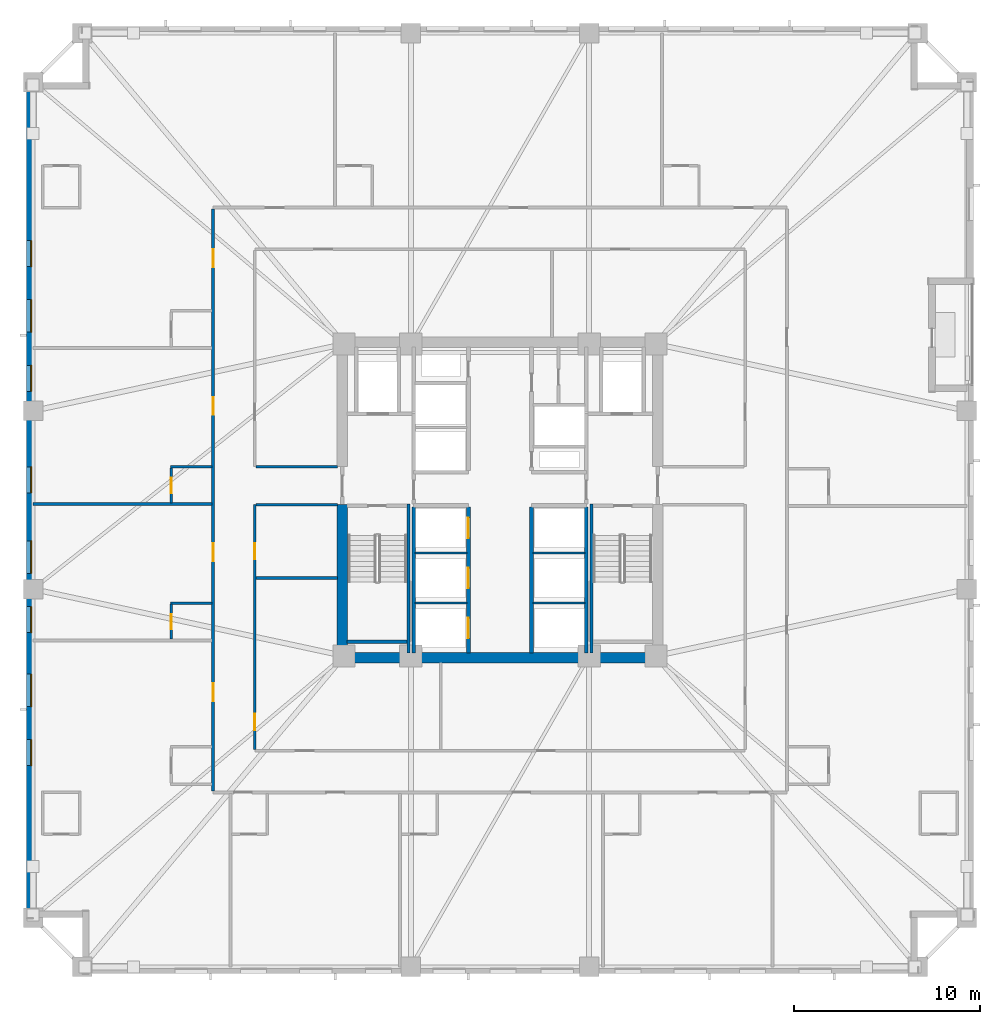
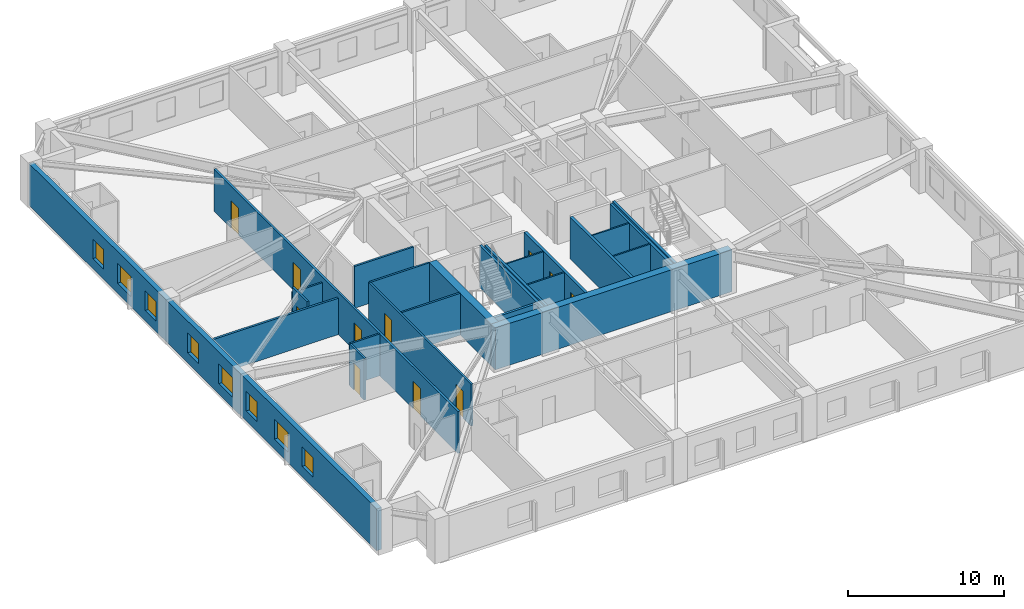
# One storey, part 3 of 11: 24 walls, 11 doors, 8 windows, 19 openings.
"""IFC4 building model written with IfcOpenShell, lengths in metres."""

from ifc_helpers import new_model, si_unit, direction, frame, frame_2d, origin, place, context, subcontext, project, spatial, rectangle, extrude, material, layer, layer_set, type_object, element, fill, save


model = new_model("IFC4")

# Units and contexts
model_context = context("Model", 3, precision=1e-05, world=origin(), true_north=direction((0.0, 1.0)))
body_context = subcontext(model_context, "Body", "Model", "MODEL_VIEW")
ifc_project = project(units=[si_unit("LENGTHUNIT", "METRE"), si_unit("AREAUNIT", "SQUARE_METRE"), si_unit("VOLUMEUNIT", "CUBIC_METRE"), si_unit("PLANEANGLEUNIT", "RADIAN"), si_unit("MASSUNIT", "GRAM", prefix="KILO")], contexts=[model_context])

# Site, building, storey
site_placement = place(None, origin())
site = spatial("IfcSite", under=ifc_project, at=site_placement, CompositionType="ELEMENT")
building_placement = place(site_placement, origin())
building = spatial("IfcBuilding", under=site, at=building_placement, Name="Cairnveth Concourse Tower", CompositionType="ELEMENT")
storey_placement = place(building_placement, frame((0.0, 0.0, 79.5)))
storey = spatial("IfcBuildingStorey", under=building, at=storey_placement, Name="L21", CompositionType="ELEMENT", Elevation=79.5)

# Wall, openings, doors
ifc_material_1 = material(Name="Gypsum Plasterboard Partition", Category="gypsum")
ifc_layer_1 = layer(ifc_material_1, 0.159912109375)
ifc_layer_set_1 = layer_set([ifc_layer_1], Name="Gypsum Plasterboard Partition")
wall_type_1 = type_object("IfcWallType", Name="ACOUSTIC PARTY WALL 180", PredefinedType="PARTITIONING", material=ifc_layer_set_1)
wall_1_placement = place(storey_placement, frame((36.550048828125, 23.31494140625, 0.0), z_axis=(0.0, 0.0, 1.0), x_axis=(0.0, 1.0, 0.0)))
wall_1 = element("IfcWall", 1, at=wall_1_placement, inside=storey, type_object=wall_type_1, Name="Interior Wall IW-L21-040", PredefinedType="PARTITIONING", context=body_context, shape_type="SweptSolid", body=[
    extrude(rectangle(XDim=31.3701171875, YDim=0.159912109375, at=frame_2d((15.68505859375, 0.0))), origin(), (0.0, 0.0, 1.0), 3.280029296875),
])
opening_1_placement = place(wall_1_placement, frame((4.848388671875, 0.0, 0.0)))
opening_1 = element("IfcOpeningElement", 2, at=opening_1_placement, cuts=wall_1, Name="Opening ID09", PredefinedType="OPENING", context=body_context, shape_type="SweptSolid", body=[
    extrude(rectangle(XDim=0.9599609375, YDim=2.14990234375, at=frame_2d((0.47998046875, 1.074951171875))), frame((0.0, 0.08984375, 0.0), z_axis=(0.0, -1.0, 0.0), x_axis=(1.0, 0.0, 0.0)), (0.0, 0.0, 1.0), 0.179931640625),
])
opening_2_placement = place(wall_1_placement, frame((12.390380859375, 0.0, 0.0)))
opening_2 = element("IfcOpeningElement", 3, at=opening_2_placement, cuts=wall_1, Name="Opening ID09", PredefinedType="OPENING", context=body_context, shape_type="SweptSolid", body=[
    extrude(rectangle(XDim=0.9599609375, YDim=2.14990234375, at=frame_2d((0.47998046875, 1.074951171875))), frame((0.0, 0.08984375, 0.0), z_axis=(0.0, -1.0, 0.0), x_axis=(1.0, 0.0, 0.0)), (0.0, 0.0, 1.0), 0.179931640625),
])
opening_3_placement = place(wall_1_placement, frame((20.265380859375, 0.0, 0.0)))
opening_3 = element("IfcOpeningElement", 4, at=opening_3_placement, cuts=wall_1, Name="Opening ID09", PredefinedType="OPENING", context=body_context, shape_type="SweptSolid", body=[
    extrude(rectangle(XDim=0.9599609375, YDim=2.14990234375, at=frame_2d((0.47998046875, 1.074951171875))), frame((0.0, 0.08984375, 0.0), z_axis=(0.0, -1.0, 0.0), x_axis=(1.0, 0.0, 0.0)), (0.0, 0.0, 1.0), 0.179931640625),
])
opening_4_placement = place(wall_1_placement, frame((28.223388671875, 0.0, 0.0)))
opening_4 = element("IfcOpeningElement", 5, at=opening_4_placement, cuts=wall_1, Name="Opening ID09", PredefinedType="OPENING", context=body_context, shape_type="SweptSolid", body=[
    extrude(rectangle(XDim=0.9599609375, YDim=2.14990234375, at=frame_2d((0.47998046875, 1.074951171875))), frame((0.0, 0.08984375, 0.0), z_axis=(0.0, -1.0, 0.0), x_axis=(1.0, 0.0, 0.0)), (0.0, 0.0, 1.0), 0.179931640625),
])
ifc_material_2 = material(Name="Solid Core Hardwood Timber Leaf", Category="wood")
door_type_1 = type_object("IfcDoorType", Name="HOTEL ENTRANCE DOOR 960X2150", OperationType="NOTDEFINED", PredefinedType="DOOR", material=ifc_material_2)
door_1_placement = place(opening_1_placement, origin())
door_1 = element("IfcDoor", 6, at=door_1_placement, inside=storey, type_object=door_type_1, Name="Hotel Room Door L21-W1", OperationType="SINGLE_SWING_RIGHT", OverallHeight=2.14990234375, OverallWidth=0.9599609375, PredefinedType="DOOR", context=body_context, shape_type="SweptSolid", body=[
    extrude(rectangle(XDim=0.9599609375, YDim=2.14990234375, at=frame_2d((0.47998046875, 1.074951171875))), frame((0.0, 0.02490234375, 0.0), z_axis=(0.0, -1.0, 0.0), x_axis=(1.0, 0.0, 0.0)), (0.0, 0.0, 1.0), 0.050048828125),
])
fill(opening_1, door_1)
door_2_placement = place(opening_2_placement, origin())
door_2 = element("IfcDoor", 7, at=door_2_placement, inside=storey, type_object=door_type_1, Name="Hotel Room Door L21-W2", OperationType="SINGLE_SWING_RIGHT", OverallHeight=2.14990234375, OverallWidth=0.9599609375, PredefinedType="DOOR", context=body_context, shape_type="SweptSolid", body=[
    extrude(rectangle(XDim=0.9599609375, YDim=2.14990234375, at=frame_2d((0.47998046875, 1.074951171875))), frame((0.0, 0.02490234375, 0.0), z_axis=(0.0, -1.0, 0.0), x_axis=(1.0, 0.0, 0.0)), (0.0, 0.0, 1.0), 0.050048828125),
])
fill(opening_2, door_2)
door_3_placement = place(opening_3_placement, origin())
door_3 = element("IfcDoor", 8, at=door_3_placement, inside=storey, type_object=door_type_1, Name="Hotel Room Door L21-W3", OperationType="SINGLE_SWING_RIGHT", OverallHeight=2.14990234375, OverallWidth=0.9599609375, PredefinedType="DOOR", context=body_context, shape_type="SweptSolid", body=[
    extrude(rectangle(XDim=0.9599609375, YDim=2.14990234375, at=frame_2d((0.47998046875, 1.074951171875))), frame((0.0, 0.02490234375, 0.0), z_axis=(0.0, -1.0, 0.0), x_axis=(1.0, 0.0, 0.0)), (0.0, 0.0, 1.0), 0.050048828125),
])
fill(opening_3, door_3)
door_4_placement = place(opening_4_placement, origin())
door_4 = element("IfcDoor", 9, at=door_4_placement, inside=storey, type_object=door_type_1, Name="Hotel Room Door L21-W4", OperationType="SINGLE_SWING_RIGHT", OverallHeight=2.14990234375, OverallWidth=0.9599609375, PredefinedType="DOOR", context=body_context, shape_type="SweptSolid", body=[
    extrude(rectangle(XDim=0.9599609375, YDim=2.14990234375, at=frame_2d((0.47998046875, 1.074951171875))), frame((0.0, 0.02490234375, 0.0), z_axis=(0.0, -1.0, 0.0), x_axis=(1.0, 0.0, 0.0)), (0.0, 0.0, 1.0), 0.050048828125),
])
fill(opening_4, door_4)

# Walls
wall_2_placement = place(storey_placement, frame((26.844970703125, 38.783935546875, 0.0), z_axis=(0.0, 0.0, 1.0), x_axis=(1.0, 0.0, 0.0)))
element("IfcWall", 10, at=wall_2_placement, inside=storey, type_object=wall_type_1, Name="Interior Wall IW-L21-089", PredefinedType="PARTITIONING", context=body_context, shape_type="SweptSolid", body=[
    extrude(rectangle(XDim=9.64013671875, YDim=0.159912109375, at=frame_2d((4.820068359375, 0.0))), origin(), (0.0, 0.0, 1.0), 2.84912109375),
])
ifc_material_3 = material(Name="Concrete N80 (80 MPa)", Category="concrete")
ifc_layer_2 = layer(ifc_material_3, 0.550048828125)
ifc_layer_set_2 = layer_set([ifc_layer_2], Name="Concrete N80 (80 MPa)")
wall_type_2 = type_object("IfcWallType", Name="CORE SHEAR WALL 550", PredefinedType="SHEAR", material=ifc_layer_set_2)
wall_3_placement = place(storey_placement, frame((43.22509765625, 30.5, 0.0), z_axis=(0.0, 0.0, 1.0), x_axis=(1.0, 0.0, 0.0)))
element("IfcWall", 11, at=wall_3_placement, inside=storey, type_object=wall_type_2, Name="Core South Shear Wall L21", PredefinedType="SHEAR", context=body_context, shape_type="SweptSolid", body=[
    extrude(rectangle(XDim=17.5498046875, YDim=0.550048828125, at=frame_2d((8.77490234375, 0.0))), origin(), (0.0, 0.0, 1.0), 3.280029296875),
])
wall_4_placement = place(storey_placement, frame((43.5, 30.764892578125, 0.0), z_axis=(0.0, 0.0, 1.0), x_axis=(0.0, 1.0, 0.0)))
element("IfcWall", 12, at=wall_4_placement, inside=storey, type_object=wall_type_2, Name="Core West Shear Wall S L21", PredefinedType="SHEAR", context=body_context, shape_type="SweptSolid", body=[
    extrude(rectangle(XDim=7.985107421875, YDim=0.550048828125, at=frame_2d((3.99267578125, 0.0))), origin(), (0.0, 0.0, 1.0), 3.280029296875),
])
ifc_material_4 = material(Name="Concrete N50 (50 MPa)", Category="concrete")
ifc_layer_3 = layer(ifc_material_4, 0.179931640625)
ifc_layer_set_3 = layer_set([ifc_layer_3], Name="Concrete N50 (50 MPa)")
wall_type_3 = type_object("IfcWallType", Name="FIRE SHAFT WALL 180", PredefinedType="SOLIDWALL", material=ifc_layer_set_3)
for number, where, z_axis, x_axis, name in (
    (13, (47.35009765625, 30.760009765625, 0.0), (0.0, 0.0, 1.0), (0.0, 1.0, 0.0), "Interior Wall IW-L21-025"),
    (14, (56.64990234375, 30.760009765625, 0.0), (0.0, 0.0, 1.0), (0.0, 1.0, 0.0), "Interior Wall IW-L21-028"),
):
    element("IfcWall", number, at=place(storey_placement, frame(where, z_axis=z_axis, x_axis=x_axis)), inside=storey, type_object=wall_type_3, Name=name, PredefinedType="SOLIDWALL", context=body_context, shape_type="SweptSolid", body=[
        extrude(rectangle(XDim=7.85498046875, YDim=0.179931640625, at=frame_2d((3.927490234375, 0.0))), origin(), (0.0, 0.0, 1.0), 3.280029296875),
    ])
wall_5_placement = place(storey_placement, frame((43.764892578125, 31.360107421875, 0.0), z_axis=(0.0, 0.0, 1.0), x_axis=(1.0, 0.0, 0.0)))
element("IfcWall", 15, at=wall_5_placement, inside=storey, type_object=wall_type_3, Name="Stair ST-1 Shaft Wall FAR L21", PredefinedType="SOLIDWALL", context=body_context, shape_type="SweptSolid", body=[
    extrude(rectangle(XDim=3.230224609375, YDim=0.179931640625, at=frame_2d((1.615234375, 0.0))), origin(), (0.0, 0.0, 1.0), 3.280029296875),
])
for number, where, z_axis, x_axis, name in (
    (16, (47.070068359375, 38.780029296875, 0.0), (0.0, 0.0, 1.0), (0.0, -1.0, 0.0), "Stair ST-1 Shaft Wall RGHT L21"),
    (17, (56.929931640625, 38.780029296875, 0.0), (0.0, 0.0, 1.0), (0.0, -1.0, 0.0), "Stair ST-2 Shaft Wall LEFT L21"),
):
    element("IfcWall", number, at=place(storey_placement, frame(where, z_axis=z_axis, x_axis=x_axis)), inside=storey, type_object=wall_type_3, Name=name, PredefinedType="SOLIDWALL", context=body_context, shape_type="SweptSolid", body=[
        extrude(rectangle(XDim=8.01708984375, YDim=0.179931640625, at=frame_2d((4.008544921875, 0.0))), origin(), (0.0, 0.0, 1.0), 3.280029296875),
    ])

# Wall, openings, doors
ifc_layer_4 = layer(ifc_material_4, 0.199951171875)
ifc_layer_set_4 = layer_set([ifc_layer_4], Name="Concrete N50 (50 MPa)")
wall_type_4 = type_object("IfcWallType", Name="FIRE SHAFT WALL 200", PredefinedType="SOLIDWALL", material=ifc_layer_set_4)
wall_6_placement = place(storey_placement, frame((50.300048828125, 30.760009765625, 0.0), z_axis=(0.0, 0.0, 1.0), x_axis=(0.0, 1.0, 0.0)))
wall_6 = element("IfcWall", 18, at=wall_6_placement, inside=storey, type_object=wall_type_4, Name="Interior Wall IW-L21-011", PredefinedType="SOLIDWALL", context=body_context, shape_type="SweptSolid", body=[
    extrude(rectangle(XDim=7.85498046875, YDim=0.199951171875, at=frame_2d((3.927490234375, 0.0))), origin(), (0.0, 0.0, 1.0), 3.280029296875),
])
opening_5_placement = place(wall_6_placement, frame((0.7900390625, 0.0, 0.0)))
opening_5 = element("IfcOpeningElement", 19, at=opening_5_placement, cuts=wall_6, Name="Opening LD-1", PredefinedType="OPENING", context=body_context, shape_type="SweptSolid", body=[
    extrude(rectangle(XDim=1.10009765625, YDim=2.199951171875, at=frame_2d((0.550048828125, 1.10009765625))), frame((0.0, 0.10986328125, 0.0), z_axis=(0.0, -1.0, 0.0), x_axis=(1.0, 0.0, 0.0)), (0.0, 0.0, 1.0), 0.219970703125),
])
opening_6_placement = place(wall_6_placement, frame((3.489990234375, 0.0, 0.0)))
opening_6 = element("IfcOpeningElement", 20, at=opening_6_placement, cuts=wall_6, Name="Opening LD-1", PredefinedType="OPENING", context=body_context, shape_type="SweptSolid", body=[
    extrude(rectangle(XDim=1.10009765625, YDim=2.199951171875, at=frame_2d((0.550048828125, 1.10009765625))), frame((0.0, 0.10986328125, 0.0), z_axis=(0.0, -1.0, 0.0), x_axis=(1.0, 0.0, 0.0)), (0.0, 0.0, 1.0), 0.219970703125),
])
opening_7_placement = place(wall_6_placement, frame((6.18994140625, 0.0, 0.0)))
opening_7 = element("IfcOpeningElement", 21, at=opening_7_placement, cuts=wall_6, Name="Opening LD-1", PredefinedType="OPENING", context=body_context, shape_type="SweptSolid", body=[
    extrude(rectangle(XDim=1.10009765625, YDim=2.199951171875, at=frame_2d((0.550048828125, 1.10009765625))), frame((0.0, 0.10986328125, 0.0), z_axis=(0.0, -1.0, 0.0), x_axis=(1.0, 0.0, 0.0)), (0.0, 0.0, 1.0), 0.219970703125),
])
ifc_material_5 = material(Name="Architectural Bronze Anodised Aluminium 6063-T6", Category="aluminium")
door_type_2 = type_object("IfcDoorType", Name="LIFT LANDING DOOR 1100X2200", OperationType="SLIDING_TO_LEFT", PredefinedType="DOOR", material=ifc_material_5)
door_5_placement = place(opening_5_placement, origin())
door_5 = element("IfcDoor", 22, at=door_5_placement, inside=storey, type_object=door_type_2, Name="Lift PL1 Landing Door L21", OperationType="SLIDING_TO_LEFT", OverallHeight=2.199951171875, OverallWidth=1.10009765625, PredefinedType="DOOR", context=body_context, shape_type="SweptSolid", body=[
    extrude(rectangle(XDim=1.10009765625, YDim=2.199951171875, at=frame_2d((0.550048828125, 1.10009765625))), frame((0.0, 0.02490234375, 0.0), z_axis=(0.0, -1.0, 0.0), x_axis=(1.0, 0.0, 0.0)), (0.0, 0.0, 1.0), 0.050048828125),
])
fill(opening_5, door_5)
door_6_placement = place(opening_6_placement, origin())
door_6 = element("IfcDoor", 23, at=door_6_placement, inside=storey, type_object=door_type_2, Name="Lift PL2 Landing Door L21", OperationType="SLIDING_TO_LEFT", OverallHeight=2.199951171875, OverallWidth=1.10009765625, PredefinedType="DOOR", context=body_context, shape_type="SweptSolid", body=[
    extrude(rectangle(XDim=1.10009765625, YDim=2.199951171875, at=frame_2d((0.550048828125, 1.10009765625))), frame((0.0, 0.02490234375, 0.0), z_axis=(0.0, -1.0, 0.0), x_axis=(1.0, 0.0, 0.0)), (0.0, 0.0, 1.0), 0.050048828125),
])
fill(opening_6, door_6)
door_7_placement = place(opening_7_placement, origin())
door_7 = element("IfcDoor", 24, at=door_7_placement, inside=storey, type_object=door_type_2, Name="Lift PL3 Landing Door L21", OperationType="SLIDING_TO_LEFT", OverallHeight=2.199951171875, OverallWidth=1.10009765625, PredefinedType="DOOR", context=body_context, shape_type="SweptSolid", body=[
    extrude(rectangle(XDim=1.10009765625, YDim=2.199951171875, at=frame_2d((0.550048828125, 1.10009765625))), frame((0.0, 0.02490234375, 0.0), z_axis=(0.0, -1.0, 0.0), x_axis=(1.0, 0.0, 0.0)), (0.0, 0.0, 1.0), 0.050048828125),
])
fill(opening_7, door_7)

# Wall
wall_7_placement = place(storey_placement, frame((53.699951171875, 30.760009765625, 0.0), z_axis=(0.0, 0.0, 1.0), x_axis=(0.0, 1.0, 0.0)))
element("IfcWall", 25, at=wall_7_placement, inside=storey, type_object=wall_type_4, Name="Interior Wall IW-L21-012", PredefinedType="SOLIDWALL", context=body_context, shape_type="SweptSolid", body=[
    extrude(rectangle(XDim=7.85498046875, YDim=0.199951171875, at=frame_2d((3.927490234375, 0.0))), origin(), (0.0, 0.0, 1.0), 3.280029296875),
])

# Wall, openings, doors
ifc_layer_5 = layer(ifc_material_1, 0.139892578125)
ifc_layer_set_5 = layer_set([ifc_layer_5], Name="Gypsum Plasterboard Partition")
wall_type_5 = type_object("IfcWallType", Name="GYPSUM STUD PARTITION 140", PredefinedType="PARTITIONING", material=ifc_layer_set_5)
wall_8_placement = place(storey_placement, frame((38.800048828125, 25.554931640625, 0.0), z_axis=(0.0, 0.0, 1.0), x_axis=(0.0, 1.0, 0.0)))
wall_8 = element("IfcWall", 26, at=wall_8_placement, inside=storey, type_object=wall_type_5, Name="Interior Wall IW-L21-044", PredefinedType="PARTITIONING", context=body_context, shape_type="SweptSolid", body=[
    extrude(rectangle(XDim=13.195068359375, YDim=0.139892578125, at=frame_2d((6.59765625, 0.0))), origin(), (0.0, 0.0, 1.0), 3.280029296875),
])
opening_8_placement = place(wall_8_placement, frame((1.044921875, 0.0, 0.0)))
opening_8 = element("IfcOpeningElement", 27, at=opening_8_placement, cuts=wall_8, Name="Opening ID18", PredefinedType="OPENING", context=body_context, shape_type="SweptSolid", body=[
    extrude(rectangle(XDim=0.8798828125, YDim=2.10009765625, at=frame_2d((0.43994140625, 1.050048828125))), frame((0.0, 0.079833984375, 0.0), z_axis=(0.0, -1.0, 0.0), x_axis=(1.0, 0.0, 0.0)), (0.0, 0.0, 1.0), 0.159912109375),
])
opening_9_placement = place(wall_8_placement, frame((10.2451171875, 0.0, 0.0)))
opening_9 = element("IfcOpeningElement", 28, at=opening_9_placement, cuts=wall_8, Name="Opening ID18", PredefinedType="OPENING", context=body_context, shape_type="SweptSolid", body=[
    extrude(rectangle(XDim=0.8798828125, YDim=2.10009765625, at=frame_2d((0.43994140625, 1.050048828125))), frame((0.0, 0.079833984375, 0.0), z_axis=(0.0, -1.0, 0.0), x_axis=(1.0, 0.0, 0.0)), (0.0, 0.0, 1.0), 0.159912109375),
])
door_type_3 = type_object("IfcDoorType", Name="INTERIOR SINGLE DOOR 880X2100", OperationType="NOTDEFINED", PredefinedType="DOOR", material=ifc_material_2)
door_8_placement = place(opening_8_placement, origin())
door_8 = element("IfcDoor", 29, at=door_8_placement, inside=storey, type_object=door_type_3, Name="Interior Door DR-L21-018", OperationType="SINGLE_SWING_RIGHT", OverallHeight=2.10009765625, OverallWidth=0.8798828125, PredefinedType="DOOR", context=body_context, shape_type="SweptSolid", body=[
    extrude(rectangle(XDim=0.8798828125, YDim=2.10009765625, at=frame_2d((0.43994140625, 1.050048828125))), frame((0.0, 0.02490234375, 0.0), z_axis=(0.0, -1.0, 0.0), x_axis=(1.0, 0.0, 0.0)), (0.0, 0.0, 1.0), 0.050048828125),
])
fill(opening_8, door_8)
door_9_placement = place(opening_9_placement, origin())
door_9 = element("IfcDoor", 30, at=door_9_placement, inside=storey, type_object=door_type_3, Name="Interior Door DR-L21-019", OperationType="SINGLE_SWING_LEFT", OverallHeight=2.10009765625, OverallWidth=0.8798828125, PredefinedType="DOOR", context=body_context, shape_type="SweptSolid", body=[
    extrude(rectangle(XDim=0.8798828125, YDim=2.10009765625, at=frame_2d((0.43994140625, 1.050048828125))), frame((0.0, 0.02490234375, 0.0), z_axis=(0.0, -1.0, 0.0), x_axis=(1.0, 0.0, 0.0)), (0.0, 0.0, 1.0), 0.050048828125),
])
fill(opening_9, door_9)

# Walls
for number, where, z_axis, x_axis, name in (
    (31, (38.85498046875, 38.75, 0.0), (0.0, 0.0, 1.0), (1.0, 0.0, 0.0), "Interior Wall IW-L21-046"),
    (32, (38.85498046875, 40.800048828125, 0.0), (0.0, 0.0, 1.0), (1.0, 0.0, 0.0), "Interior Wall IW-L21-047"),
    (33, (38.85498046875, 34.800048828125, 0.0), (0.0, 0.0, 1.0), (1.0, 0.0, 0.0), "Interior Wall IW-L21-054"),
):
    element("IfcWall", number, at=place(storey_placement, frame(where, z_axis=z_axis, x_axis=x_axis)), inside=storey, type_object=wall_type_5, Name=name, PredefinedType="PARTITIONING", context=body_context, shape_type="SweptSolid", body=[
        extrude(rectangle(XDim=4.385009765625, YDim=0.139892578125, at=frame_2d((2.1923828125, 0.0))), origin(), (0.0, 0.0, 1.0), 3.280029296875),
    ])
ifc_layer_6 = layer(ifc_material_1, 0.110107421875)
ifc_layer_set_6 = layer_set([ifc_layer_6], Name="Gypsum Plasterboard Partition")
wall_type_6 = type_object("IfcWallType", Name="SHAFT DIVIDER WALL 140", PredefinedType="PARTITIONING", material=ifc_layer_set_6)
for number, where, z_axis, x_axis, name in (
    (34, (47.425048828125, 33.449951171875, 0.0), (0.0, 0.0, 1.0), (1.0, 0.0, 0.0), "Interior Wall IW-L21-026"),
    (35, (47.425048828125, 36.14990234375, 0.0), (0.0, 0.0, 1.0), (1.0, 0.0, 0.0), "Interior Wall IW-L21-027"),
    (36, (53.784912109375, 33.449951171875, 0.0), (0.0, 0.0, 1.0), (1.0, 0.0, 0.0), "Interior Wall IW-L21-029"),
    (37, (53.784912109375, 36.14990234375, 0.0), (0.0, 0.0, 1.0), (1.0, 0.0, 0.0), "Interior Wall IW-L21-030"),
):
    element("IfcWall", number, at=place(storey_placement, frame(where, z_axis=z_axis, x_axis=x_axis)), inside=storey, type_object=wall_type_6, Name=name, PredefinedType="PARTITIONING", context=body_context, shape_type="SweptSolid", body=[
        extrude(rectangle(XDim=2.7900390625, YDim=0.110107421875, at=frame_2d((1.39501953125, 0.0))), origin(), (0.0, 0.0, 1.0), 3.280029296875),
    ])
ifc_layer_7 = layer(ifc_material_1, 0.1298828125)
ifc_layer_set_7 = layer_set([ifc_layer_7], Name="Gypsum Plasterboard Partition")
wall_type_7 = type_object("IfcWallType", Name="WET AREA PARTITION 140", PredefinedType="PLUMBINGWALL", material=ifc_layer_set_7)
wall_9_placement = place(storey_placement, frame((34.25, 33.43701171875, 0.0), z_axis=(0.0, 0.0, 1.0), x_axis=(1.0, 0.0, 0.0)))
element("IfcWall", 38, at=wall_9_placement, inside=storey, type_object=wall_type_7, Name="Interior Wall IW-L21-087", PredefinedType="PLUMBINGWALL", context=body_context, shape_type="SweptSolid", body=[
    extrude(rectangle(XDim=2.235107421875, YDim=0.1298828125, at=frame_2d((1.11767578125, 0.0))), origin(), (0.0, 0.0, 1.0), 3.280029296875),
])

# Wall, opening, door
wall_10_placement = place(storey_placement, frame((34.300048828125, 31.501953125, 0.0), z_axis=(0.0, 0.0, 1.0), x_axis=(0.0, 1.0, 0.0)))
wall_10 = element("IfcWall", 39, at=wall_10_placement, inside=storey, type_object=wall_type_7, Name="Interior Wall IW-L21-088", PredefinedType="PLUMBINGWALL", context=body_context, shape_type="SweptSolid", body=[
    extrude(rectangle(XDim=1.885009765625, YDim=0.1298828125, at=frame_2d((0.9423828125, 0.0))), origin(), (0.0, 0.0, 1.0), 3.280029296875),
])
opening_10_placement = place(wall_10_placement, frame((0.52490234375, 0.0, 0.0)))
opening_10 = element("IfcOpeningElement", 40, at=opening_10_placement, cuts=wall_10, Name="Opening ID22", PredefinedType="OPENING", context=body_context, shape_type="SweptSolid", body=[
    extrude(rectangle(XDim=0.820068359375, YDim=2.10009765625, at=frame_2d((0.41015625, 1.050048828125))), frame((0.0, 0.074951171875, 0.0), z_axis=(0.0, -1.0, 0.0), x_axis=(1.0, 0.0, 0.0)), (0.0, 0.0, 1.0), 0.14990234375),
])
door_type_4 = type_object("IfcDoorType", Name="INTERIOR WC DOOR 820X2100", OperationType="NOTDEFINED", PredefinedType="DOOR", material=ifc_material_2)
door_10_placement = place(opening_10_placement, origin())
door_10 = element("IfcDoor", 41, at=door_10_placement, inside=storey, type_object=door_type_4, Name="En-Suite Door L21-W2", OperationType="SINGLE_SWING_LEFT", OverallHeight=2.10009765625, OverallWidth=0.820068359375, PredefinedType="DOOR", context=body_context, shape_type="SweptSolid", body=[
    extrude(rectangle(XDim=0.820068359375, YDim=2.10009765625, at=frame_2d((0.41015625, 1.050048828125))), frame((0.0, 0.02490234375, 0.0), z_axis=(0.0, -1.0, 0.0), x_axis=(1.0, 0.0, 0.0)), (0.0, 0.0, 1.0), 0.050048828125),
])
fill(opening_10, door_10)

# Wall
wall_11_placement = place(storey_placement, frame((34.25, 40.783935546875, 0.0), z_axis=(0.0, 0.0, 1.0), x_axis=(1.0, 0.0, 0.0)))
element("IfcWall", 42, at=wall_11_placement, inside=storey, type_object=wall_type_7, Name="Interior Wall IW-L21-090", PredefinedType="PLUMBINGWALL", context=body_context, shape_type="SweptSolid", body=[
    extrude(rectangle(XDim=2.235107421875, YDim=0.1298828125, at=frame_2d((1.11767578125, 0.0))), origin(), (0.0, 0.0, 1.0), 2.84912109375),
])

# Wall, opening, door
wall_12_placement = place(storey_placement, frame((34.300048828125, 38.84912109375, 0.0), z_axis=(0.0, 0.0, 1.0), x_axis=(0.0, 1.0, 0.0)))
wall_12 = element("IfcWall", 43, at=wall_12_placement, inside=storey, type_object=wall_type_7, Name="Interior Wall IW-L21-091", PredefinedType="PLUMBINGWALL", context=body_context, shape_type="SweptSolid", body=[
    extrude(rectangle(XDim=1.884765625, YDim=0.1298828125, at=frame_2d((0.9423828125, 0.0))), origin(), (0.0, 0.0, 1.0), 3.280029296875),
])
opening_11_placement = place(wall_12_placement, frame((0.52490234375, 0.0, 0.0)))
opening_11 = element("IfcOpeningElement", 44, at=opening_11_placement, cuts=wall_12, Name="Opening ID22", PredefinedType="OPENING", context=body_context, shape_type="SweptSolid", body=[
    extrude(rectangle(XDim=0.820068359375, YDim=2.10009765625, at=frame_2d((0.41015625, 1.050048828125))), frame((0.0, 0.074951171875, 0.0), z_axis=(0.0, -1.0, 0.0), x_axis=(1.0, 0.0, 0.0)), (0.0, 0.0, 1.0), 0.14990234375),
])
door_11_placement = place(opening_11_placement, origin())
door_11 = element("IfcDoor", 45, at=door_11_placement, inside=storey, type_object=door_type_4, Name="En-Suite Door L21-W3", OperationType="SINGLE_SWING_LEFT", OverallHeight=2.10009765625, OverallWidth=0.820068359375, PredefinedType="DOOR", context=body_context, shape_type="SweptSolid", body=[
    extrude(rectangle(XDim=0.820068359375, YDim=2.10009765625, at=frame_2d((0.41015625, 1.050048828125))), frame((0.0, 0.02490234375, 0.0), z_axis=(0.0, -1.0, 0.0), x_axis=(1.0, 0.0, 0.0)), (0.0, 0.0, 1.0), 0.050048828125),
])
fill(opening_11, door_11)

# Wall, openings, windows
ifc_material_6 = material(Name="Hawthorn Red-Ochre Fired Clay Brick Masonry", Category="masonry")
ifc_layer_8 = layer(ifc_material_6, 0.360107421875)
ifc_layer_set_8 = layer_set([ifc_layer_8], Name="Hawthorn Red-Ochre Fired Clay Brick Masonry")
wall_type_8 = type_object("IfcWallType", Name="ZONE 1 BRICK PIER SPANDREL WALL 360", PredefinedType="SOLIDWALL", material=ifc_layer_set_8)
wall_13_placement = place(storey_placement, frame((26.679931640625, 16.5, 0.0), z_axis=(0.0, 0.0, 1.0), x_axis=(0.0, 1.0, 0.0)))
wall_13 = element("IfcWall", 46, at=wall_13_placement, inside=storey, type_object=wall_type_8, Name="Exterior Wall EW-L21-S06", PredefinedType="SOLIDWALL", context=body_context, shape_type="SweptSolid", body=[
    extrude(rectangle(XDim=44.662109375, YDim=0.360107421875, at=frame_2d((22.3310546875, 0.0))), origin(), (0.0, 0.0, 1.0), 3.280029296875),
])
opening_12_placement = place(wall_13_placement, frame((8.190185546875, 0.0, 0.800048828125)))
opening_12 = element("IfcOpeningElement", 47, at=opening_12_placement, cuts=wall_13, Name="Opening W05", PredefinedType="OPENING", context=body_context, shape_type="SweptSolid", body=[
    extrude(rectangle(XDim=1.39990234375, YDim=1.5439453125, at=frame_2d((0.699951171875, 0.77197265625))), frame((0.0, 0.18994140625, 0.0), z_axis=(0.0, -1.0, 0.0), x_axis=(1.0, 0.0, 0.0)), (0.0, 0.0, 1.0), 0.380126953125),
])
opening_13_placement = place(wall_13_placement, frame((11.37548828125, 0.0, 0.800048828125)))
opening_13 = element("IfcOpeningElement", 48, at=opening_13_placement, cuts=wall_13, Name="Opening W06", PredefinedType="OPENING", context=body_context, shape_type="SweptSolid", body=[
    extrude(rectangle(XDim=1.75, YDim=1.5439453125, at=frame_2d((0.875, 0.77197265625))), frame((0.0, 0.18994140625, 0.0), z_axis=(0.0, -1.0, 0.0), x_axis=(1.0, 0.0, 0.0)), (0.0, 0.0, 1.0), 0.380126953125),
])
opening_14_placement = place(wall_13_placement, frame((15.360595703125, 0.0, 0.800048828125)))
opening_14 = element("IfcOpeningElement", 49, at=opening_14_placement, cuts=wall_13, Name="Opening W05", PredefinedType="OPENING", context=body_context, shape_type="SweptSolid", body=[
    extrude(rectangle(XDim=1.39990234375, YDim=1.5439453125, at=frame_2d((0.699951171875, 0.77197265625))), frame((0.0, 0.18994140625, 0.0), z_axis=(0.0, -1.0, 0.0), x_axis=(1.0, 0.0, 0.0)), (0.0, 0.0, 1.0), 0.380126953125),
])
opening_15_placement = place(wall_13_placement, frame((18.5458984375, 0.0, 0.800048828125)))
opening_15 = element("IfcOpeningElement", 50, at=opening_15_placement, cuts=wall_13, Name="Opening W06", PredefinedType="OPENING", context=body_context, shape_type="SweptSolid", body=[
    extrude(rectangle(XDim=1.75, YDim=1.5439453125, at=frame_2d((0.875, 0.77197265625))), frame((0.0, 0.18994140625, 0.0), z_axis=(0.0, -1.0, 0.0), x_axis=(1.0, 0.0, 0.0)), (0.0, 0.0, 1.0), 0.380126953125),
])
opening_16_placement = place(wall_13_placement, frame((22.881103515625, 0.0, 0.800048828125)))
opening_16 = element("IfcOpeningElement", 51, at=opening_16_placement, cuts=wall_13, Name="Opening W05", PredefinedType="OPENING", context=body_context, shape_type="SweptSolid", body=[
    extrude(rectangle(XDim=1.39990234375, YDim=1.5439453125, at=frame_2d((0.699951171875, 0.77197265625))), frame((0.0, 0.18994140625, 0.0), z_axis=(0.0, -1.0, 0.0), x_axis=(1.0, 0.0, 0.0)), (0.0, 0.0, 1.0), 0.380126953125),
])
opening_17_placement = place(wall_13_placement, frame((28.351318359375, 0.0, 0.800048828125)))
opening_17 = element("IfcOpeningElement", 52, at=opening_17_placement, cuts=wall_13, Name="Opening W05", PredefinedType="OPENING", context=body_context, shape_type="SweptSolid", body=[
    extrude(rectangle(XDim=1.39990234375, YDim=1.5439453125, at=frame_2d((0.699951171875, 0.77197265625))), frame((0.0, 0.18994140625, 0.0), z_axis=(0.0, -1.0, 0.0), x_axis=(1.0, 0.0, 0.0)), (0.0, 0.0, 1.0), 0.380126953125),
])
opening_18_placement = place(wall_13_placement, frame((31.53662109375, 0.0, 0.800048828125)))
opening_18 = element("IfcOpeningElement", 53, at=opening_18_placement, cuts=wall_13, Name="Opening W06", PredefinedType="OPENING", context=body_context, shape_type="SweptSolid", body=[
    extrude(rectangle(XDim=1.75, YDim=1.5439453125, at=frame_2d((0.875, 0.77197265625))), frame((0.0, 0.18994140625, 0.0), z_axis=(0.0, -1.0, 0.0), x_axis=(1.0, 0.0, 0.0)), (0.0, 0.0, 1.0), 0.380126953125),
])
opening_19_placement = place(wall_13_placement, frame((35.07177734375, 0.0, 0.800048828125)))
opening_19 = element("IfcOpeningElement", 54, at=opening_19_placement, cuts=wall_13, Name="Opening W05", PredefinedType="OPENING", context=body_context, shape_type="SweptSolid", body=[
    extrude(rectangle(XDim=1.39990234375, YDim=1.5439453125, at=frame_2d((0.699951171875, 0.77197265625))), frame((0.0, 0.18994140625, 0.0), z_axis=(0.0, -1.0, 0.0), x_axis=(1.0, 0.0, 0.0)), (0.0, 0.0, 1.0), 0.380126953125),
])
ifc_material_7 = material(Name="Double Glazed Low-E Clear Glass", Category="glass")
window_type_1 = type_object("IfcWindowType", Name="DEEP-SET HOTEL CASEMENT WINDOW 1400X1750", PartitioningType="DOUBLE_PANEL_VERTICAL", PredefinedType="WINDOW", material=ifc_material_7)
window_1_placement = place(opening_12_placement, origin())
window_1 = element("IfcWindow", 55, at=window_1_placement, inside=storey, type_object=window_type_1, Name="Gothic Lancet Window L21-6-2", OverallHeight=1.5439453125, OverallWidth=1.39990234375, PartitioningType="SINGLE_PANEL", PredefinedType="WINDOW", context=body_context, shape_type="SweptSolid", body=[
    extrude(rectangle(XDim=1.39990234375, YDim=1.5439453125, at=frame_2d((0.699951171875, 0.77197265625))), frame((0.0, -0.050048828125, 0.0), z_axis=(0.0, -1.0, 0.0), x_axis=(1.0, 0.0, 0.0)), (0.0, 0.0, 1.0), 0.06005859375),
])
fill(opening_12, window_1)
window_2_placement = place(opening_14_placement, origin())
window_2 = element("IfcWindow", 56, at=window_2_placement, inside=storey, type_object=window_type_1, Name="Gothic Lancet Window L21-6-4", OverallHeight=1.5439453125, OverallWidth=1.39990234375, PartitioningType="SINGLE_PANEL", PredefinedType="WINDOW", context=body_context, shape_type="SweptSolid", body=[
    extrude(rectangle(XDim=1.39990234375, YDim=1.5439453125, at=frame_2d((0.699951171875, 0.77197265625))), frame((0.0, -0.050048828125, 0.0), z_axis=(0.0, -1.0, 0.0), x_axis=(1.0, 0.0, 0.0)), (0.0, 0.0, 1.0), 0.06005859375),
])
fill(opening_14, window_2)
window_3_placement = place(opening_16_placement, origin())
window_3 = element("IfcWindow", 57, at=window_3_placement, inside=storey, type_object=window_type_1, Name="Gothic Lancet Window L21-6-6", OverallHeight=1.5439453125, OverallWidth=1.39990234375, PartitioningType="SINGLE_PANEL", PredefinedType="WINDOW", context=body_context, shape_type="SweptSolid", body=[
    extrude(rectangle(XDim=1.39990234375, YDim=1.5439453125, at=frame_2d((0.699951171875, 0.77197265625))), frame((0.0, -0.050048828125, 0.0), z_axis=(0.0, -1.0, 0.0), x_axis=(1.0, 0.0, 0.0)), (0.0, 0.0, 1.0), 0.06005859375),
])
fill(opening_16, window_3)
window_4_placement = place(opening_17_placement, origin())
window_4 = element("IfcWindow", 58, at=window_4_placement, inside=storey, type_object=window_type_1, Name="Gothic Lancet Window L21-6-8", OverallHeight=1.5439453125, OverallWidth=1.39990234375, PartitioningType="SINGLE_PANEL", PredefinedType="WINDOW", context=body_context, shape_type="SweptSolid", body=[
    extrude(rectangle(XDim=1.39990234375, YDim=1.5439453125, at=frame_2d((0.699951171875, 0.77197265625))), frame((0.0, -0.050048828125, 0.0), z_axis=(0.0, -1.0, 0.0), x_axis=(1.0, 0.0, 0.0)), (0.0, 0.0, 1.0), 0.06005859375),
])
fill(opening_17, window_4)
window_5_placement = place(opening_19_placement, origin())
window_5 = element("IfcWindow", 59, at=window_5_placement, inside=storey, type_object=window_type_1, Name="Gothic Lancet Window L21-6-10", OverallHeight=1.5439453125, OverallWidth=1.39990234375, PartitioningType="SINGLE_PANEL", PredefinedType="WINDOW", context=body_context, shape_type="SweptSolid", body=[
    extrude(rectangle(XDim=1.39990234375, YDim=1.5439453125, at=frame_2d((0.699951171875, 0.77197265625))), frame((0.0, -0.050048828125, 0.0), z_axis=(0.0, -1.0, 0.0), x_axis=(1.0, 0.0, 0.0)), (0.0, 0.0, 1.0), 0.06005859375),
])
fill(opening_19, window_5)
window_type_2 = type_object("IfcWindowType", Name="DEEP-SET HOTEL SUITE WINDOW 1750X1800", PartitioningType="DOUBLE_PANEL_VERTICAL", PredefinedType="WINDOW", material=ifc_material_7)
window_6_placement = place(opening_13_placement, origin())
window_6 = element("IfcWindow", 60, at=window_6_placement, inside=storey, type_object=window_type_2, Name="Gothic Lancet Window L21-6-3", OverallHeight=1.5439453125, OverallWidth=1.75, PartitioningType="SINGLE_PANEL", PredefinedType="WINDOW", context=body_context, shape_type="SweptSolid", body=[
    extrude(rectangle(XDim=1.75, YDim=1.5439453125, at=frame_2d((0.875, 0.77197265625))), frame((0.0, -0.050048828125, 0.0), z_axis=(0.0, -1.0, 0.0), x_axis=(1.0, 0.0, 0.0)), (0.0, 0.0, 1.0), 0.06005859375),
])
fill(opening_13, window_6)
window_7_placement = place(opening_15_placement, origin())
window_7 = element("IfcWindow", 61, at=window_7_placement, inside=storey, type_object=window_type_2, Name="Gothic Lancet Window L21-6-5", OverallHeight=1.5439453125, OverallWidth=1.75, PartitioningType="SINGLE_PANEL", PredefinedType="WINDOW", context=body_context, shape_type="SweptSolid", body=[
    extrude(rectangle(XDim=1.75, YDim=1.5439453125, at=frame_2d((0.875, 0.77197265625))), frame((0.0, -0.050048828125, 0.0), z_axis=(0.0, -1.0, 0.0), x_axis=(1.0, 0.0, 0.0)), (0.0, 0.0, 1.0), 0.06005859375),
])
fill(opening_15, window_7)
window_8_placement = place(opening_18_placement, origin())
window_8 = element("IfcWindow", 62, at=window_8_placement, inside=storey, type_object=window_type_2, Name="Gothic Lancet Window L21-6-9", OverallHeight=1.5439453125, OverallWidth=1.75, PartitioningType="SINGLE_PANEL", PredefinedType="WINDOW", context=body_context, shape_type="SweptSolid", body=[
    extrude(rectangle(XDim=1.75, YDim=1.5439453125, at=frame_2d((0.875, 0.77197265625))), frame((0.0, -0.050048828125, 0.0), z_axis=(0.0, -1.0, 0.0), x_axis=(1.0, 0.0, 0.0)), (0.0, 0.0, 1.0), 0.06005859375),
])
fill(opening_18, window_8)

save(model, "model.ifc")
